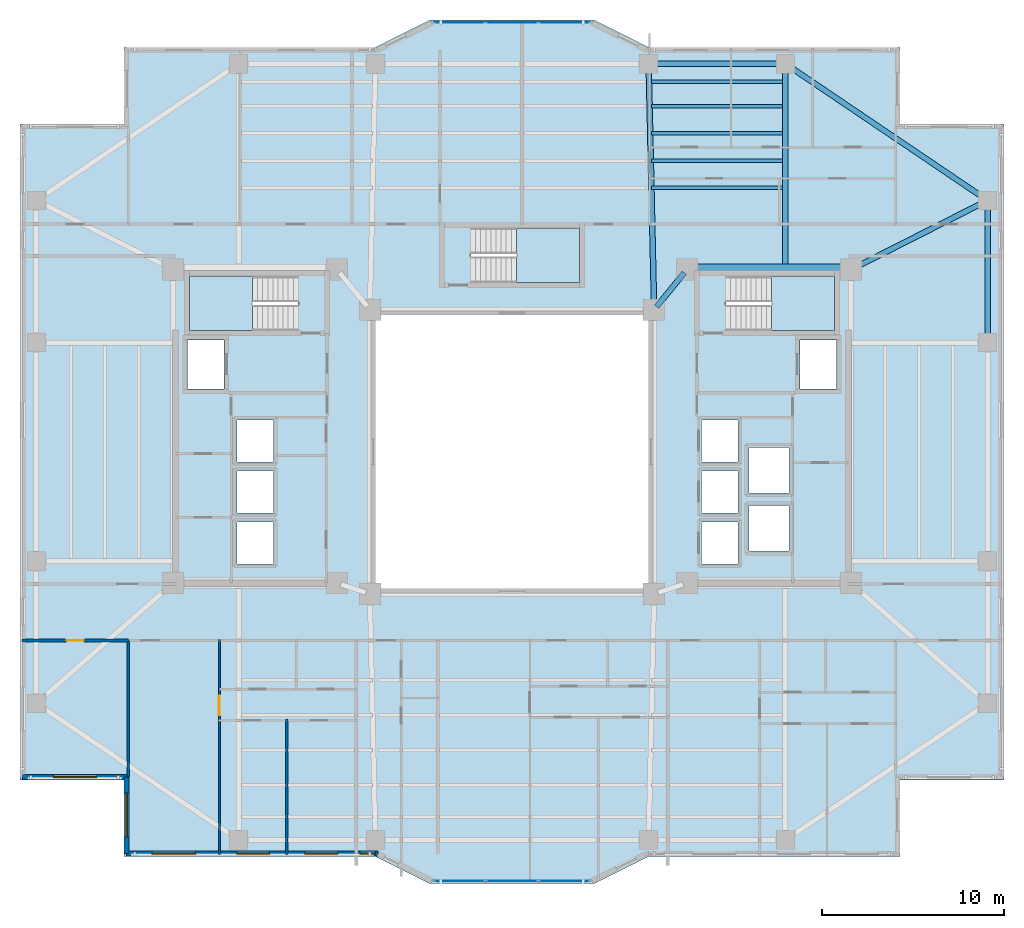
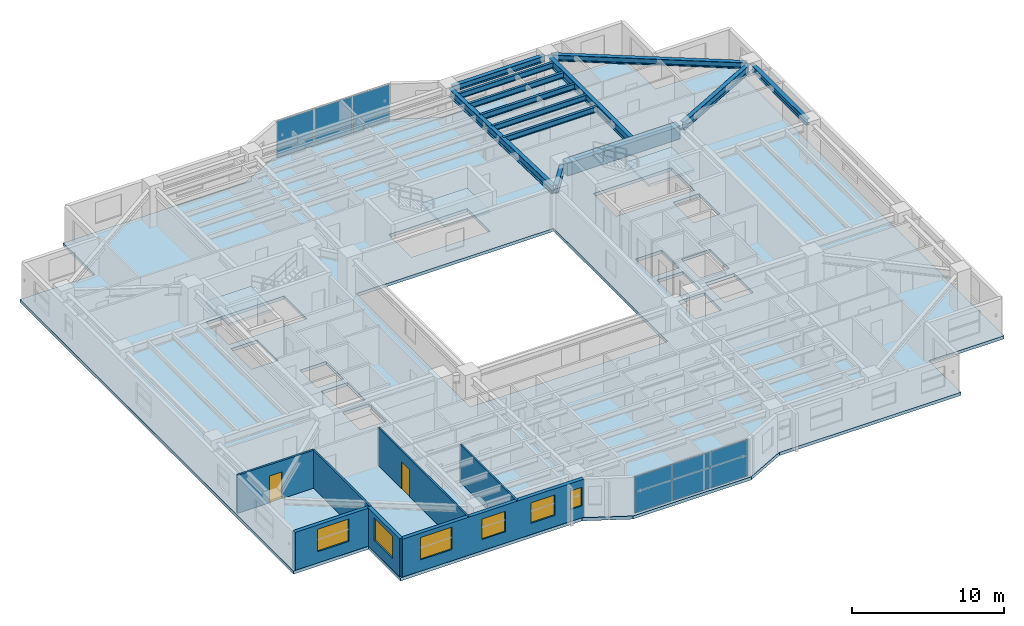
# One storey, part 5 of 18: 13 beams, 7 walls, 6 plates, 6 windows, 4 slabs, 2 doors, 8 openings, 5 elements without a shape of their own.
"""IFC4 building model written with IfcOpenShell, lengths in metres."""

from ifc_helpers import new_model, si_unit, direction, frame, frame_2d, origin, origin_2d, place, context, subcontext, project, spatial, polyline, rectangle, i_section, outline, extrude, material, layer, layer_set, material_profile, profile_set, type_object, element, fill, aggregate, save


model = new_model("IFC4")

# Units and contexts
model_context = context("Model", 3, precision=1e-05, world=origin(), true_north=direction((0.0, 1.0)))
body_context = subcontext(model_context, "Body", "Model", "MODEL_VIEW")
ifc_project = project(units=[si_unit("LENGTHUNIT", "METRE"), si_unit("AREAUNIT", "SQUARE_METRE"), si_unit("VOLUMEUNIT", "CUBIC_METRE"), si_unit("PLANEANGLEUNIT", "RADIAN"), si_unit("MASSUNIT", "GRAM", prefix="KILO")], contexts=[model_context])

# Site, building, storey
site_placement = place(None, origin())
site = spatial("IfcSite", under=ifc_project, at=site_placement, CompositionType="ELEMENT")
building_placement = place(site_placement, origin())
building = spatial("IfcBuilding", under=site, at=building_placement, Name="Tarnavaz Court Tower", CompositionType="ELEMENT")
storey_placement = place(building_placement, frame((0.0, 0.0, 115.14990234375)))
storey = spatial("IfcBuildingStorey", under=building, at=storey_placement, Name="L31", CompositionType="ELEMENT", Elevation=115.14990234375)

# Beams
ifc_material_1 = material(Name="Concrete C60/75", Category="concrete")
ifc_material_profile_1 = material_profile(ifc_material_1, rectangle(XDim=0.60009765625, YDim=1.0, at=origin_2d()), Name="RC 600X1000")
ifc_profile_set_1 = profile_set([ifc_material_profile_1], Name="Concrete C60/75")
beam_type_1 = type_object("IfcBeamType", Name="BM-CB1000", PredefinedType="LINTEL", material=ifc_profile_set_1)
beam_1_placement = place(storey_placement, frame((18.3798828125, 10.0, 2.550048828125), z_axis=(-1.0, 0.0, 0.0), x_axis=(0.0, -1.0, 0.0)))
element("IfcBeam", 1, at=beam_1_placement, inside=storey, type_object=beam_type_1, Name="L31 Beam IN-CE-NO-CE-NI", PredefinedType="LINTEL", context=body_context, shape_type="SweptSolid", body=[
    extrude(rectangle(XDim=0.60009765625, YDim=1.0, at=origin_2d()), origin(), (0.0, 0.0, 1.0), 8.559814453125),
])
ifc_material_2 = material(Name="Steel S355", Category="steel")
ifc_material_profile_2 = material_profile(ifc_material_2, i_section(OverallWidth=0.300048828125, OverallDepth=0.64990234375, WebThickness=0.01611328125, FlangeThickness=0.031005859375, FilletRadius=0.027099609375, at=origin_2d()), Name="HEB 650")
ifc_profile_set_2 = profile_set([ifc_material_profile_2], Name="Steel S355")
beam_type_2 = type_object("IfcBeamType", Name="BM-G-HEB650", PredefinedType="USERDEFINED", material=ifc_profile_set_2)
beam_2_placement = place(storey_placement, frame((9.460693359375, 9.82958984375, 2.72509765625), z_axis=(-0.633282058357, -0.773921077735, 0.0), x_axis=(0.773921077735, -0.633282058357, 0.0)))
element("IfcBeam", 2, at=beam_2_placement, inside=storey, type_object=beam_type_2, Name="L31 Beam IN-CE-NI-IW-NE", ObjectType="GIRDER", PredefinedType="USERDEFINED", context=body_context, shape_type="SweptSolid", body=[
    extrude(i_section(OverallWidth=0.300048828125, OverallDepth=0.64990234375, WebThickness=0.01611328125, FlangeThickness=0.031005859375, FilletRadius=0.027099609375, at=origin_2d()), origin(), (0.0, 0.0, 1.0), 2.402587890625),
])
beam_3_placement = place(storey_placement, frame((7.795166015625, 8.02001953125, 2.72509765625), z_axis=(-0.022221303469, 0.99975307635, 0.0), x_axis=(-0.99975307635, -0.022221303469, 0.0)))
element("IfcBeam", 3, at=beam_3_placement, inside=storey, type_object=beam_type_2, Name="L31 Beam RG-03", ObjectType="GIRDER", PredefinedType="USERDEFINED", context=body_context, shape_type="SweptSolid", body=[
    extrude(i_section(OverallWidth=0.300048828125, OverallDepth=0.64990234375, WebThickness=0.01611328125, FlangeThickness=0.031005859375, FilletRadius=0.027099609375, at=origin_2d()), origin(), (0.0, 0.0, 1.0), 13.063232421875),
])
beam_4_placement = place(storey_placement, frame((15.0, 10.0400390625, 2.72509765625), z_axis=(0.0, 1.0, 0.0), x_axis=(-1.0, 0.0, 0.0)))
element("IfcBeam", 4, at=beam_4_placement, inside=storey, type_object=beam_type_2, Name="L31 Beam RG-04", ObjectType="GIRDER", PredefinedType="USERDEFINED", context=body_context, shape_type="SweptSolid", body=[
    extrude(i_section(OverallWidth=0.300048828125, OverallDepth=0.64990234375, WebThickness=0.01611328125, FlangeThickness=0.031005859375, FilletRadius=0.027099609375, at=origin_2d()), origin(), (0.0, 0.0, 1.0), 11.0400390625),
])
beam_5_placement = place(storey_placement, frame((18.796142578125, 10.099365234375, 2.72509765625), z_axis=(0.892030669981, 0.451974870776, 0.0), x_axis=(-0.451974870776, 0.892030669981, 0.0)))
element("IfcBeam", 5, at=beam_5_placement, inside=storey, type_object=beam_type_2, Name="L31 Beam RG-12", ObjectType="GIRDER", PredefinedType="USERDEFINED", context=body_context, shape_type="SweptSolid", body=[
    extrude(i_section(OverallWidth=0.300048828125, OverallDepth=0.64990234375, WebThickness=0.01611328125, FlangeThickness=0.031005859375, FilletRadius=0.027099609375, at=origin_2d()), origin(), (0.0, 0.0, 1.0), 7.968017578125),
])
ifc_material_profile_3 = material_profile(ifc_material_2, i_section(OverallWidth=0.18994140625, OverallDepth=0.449951171875, WebThickness=0.009521484375, FlangeThickness=0.0146484375, FilletRadius=0.02099609375, at=origin_2d()), Name="IPE 450")
ifc_profile_set_3 = profile_set([ifc_material_profile_3], Name="Steel S355")
beam_type_3 = type_object("IfcBeamType", Name="BM-J-IPE450", PredefinedType="JOIST", material=ifc_profile_set_3)
for number, where, z_axis, x_axis, name in (
    (6, (7.64990234375, 14.493896484375, 2.8251953125), (1.0, 0.0, 0.0), (0.0, 1.0, 0.0), "L31 Beam JN1-3"),
    (7, (7.64990234375, 15.988037109375, 2.8251953125), (1.0, 0.0, 0.0), (0.0, 1.0, 0.0), "L31 Beam JN2-3"),
    (8, (7.64990234375, 17.48193359375, 2.8251953125), (1.0, 0.0, 0.0), (0.0, 1.0, 0.0), "L31 Beam JN3-3"),
    (9, (7.64990234375, 18.97607421875, 2.8251953125), (1.0, 0.0, 0.0), (0.0, 1.0, 0.0), "L31 Beam JN4-3"),
    (10, (7.64990234375, 20.303955078125, 2.8251953125), (1.0, 0.0, 0.0), (0.0, 1.0, 0.0), "L31 Beam JN5-3"),
):
    element("IfcBeam", number, at=place(storey_placement, frame(where, z_axis=z_axis, x_axis=x_axis)), inside=storey, type_object=beam_type_3, Name=name, PredefinedType="JOIST", context=body_context, shape_type="SweptSolid", body=[
        extrude(i_section(OverallWidth=0.18994140625, OverallDepth=0.449951171875, WebThickness=0.009521484375, FlangeThickness=0.0146484375, FilletRadius=0.02099609375, at=origin_2d()), origin(), (0.0, 0.0, 1.0), 7.2001953125),
    ])
ifc_material_profile_4 = material_profile(ifc_material_2, i_section(OverallWidth=0.300048828125, OverallDepth=0.489990234375, WebThickness=0.011962890625, FlangeThickness=0.02294921875, FilletRadius=0.027099609375, at=origin_2d()), Name="HEA 500")
ifc_profile_set_4 = profile_set([ifc_material_profile_4], Name="Steel S355")
beam_type_4 = type_object("IfcBeamType", Name="BM-SP-HEA500", PredefinedType="SPANDREL", material=ifc_profile_set_4)
beam_6_placement = place(storey_placement, frame((7.719970703125, 21.300048828125, 2.80517578125), z_axis=(1.0, 0.0, 0.0), x_axis=(0.0, 1.0, 0.0)))
element("IfcBeam", 11, at=beam_6_placement, inside=storey, type_object=beam_type_4, Name="L31 Beam PR-PN-3-PN-4", PredefinedType="SPANDREL", context=body_context, shape_type="SweptSolid", body=[
    extrude(i_section(OverallWidth=0.300048828125, OverallDepth=0.489990234375, WebThickness=0.011962890625, FlangeThickness=0.02294921875, FilletRadius=0.027099609375, at=origin_2d()), origin(), (0.0, 0.0, 1.0), 7.06005859375),
])
beam_7_placement = place(storey_placement, frame((26.10009765625, 6.219970703125, 2.80517578125), z_axis=(0.0, 1.0, 0.0), x_axis=(-1.0, 0.0, 0.0)))
element("IfcBeam", 12, at=beam_7_placement, inside=storey, type_object=beam_type_4, Name="L31 Beam PR-PE-3-PE-4", PredefinedType="SPANDREL", context=body_context, shape_type="SweptSolid", body=[
    extrude(i_section(OverallWidth=0.300048828125, OverallDepth=0.489990234375, WebThickness=0.011962890625, FlangeThickness=0.02294921875, FilletRadius=0.027099609375, at=origin_2d()), origin(), (0.0, 0.0, 1.0), 7.360107421875),
])
beam_8_placement = place(storey_placement, frame((15.182373046875, 21.1767578125, 2.80517578125), z_axis=(0.828587314918, -0.559859858854, 0.0), x_axis=(0.559859858854, 0.828587314918, 0.0)))
element("IfcBeam", 13, at=beam_8_placement, inside=storey, type_object=beam_type_4, Name="L31 Beam PR-PN-4-PE-4", PredefinedType="SPANDREL", context=body_context, shape_type="SweptSolid", body=[
    extrude(i_section(OverallWidth=0.300048828125, OverallDepth=0.489990234375, WebThickness=0.011962890625, FlangeThickness=0.02294921875, FilletRadius=0.027099609375, at=origin_2d()), origin(), (0.0, 0.0, 1.0), 12.956298828125),
])

# Curtain wall, plates
ifc_material_3 = material(Name="Anodised Aluminium 6063-T6 and Solar Low-E Glazing", Category="aluminium")
ifc_layer_1 = layer(ifc_material_3, 0.179931640625)
ifc_layer_set_1 = layer_set([ifc_layer_1], Name="Anodised Aluminium 6063-T6 and Solar Low-E Glazing")
curtain_wall_type = type_object("IfcCurtainWallType", Name="CW-SYS-02", PredefinedType="NOTDEFINED", material=ifc_layer_set_1)
curtain_wall_1_placement = place(storey_placement, origin())
curtain_wall_1 = element("IfcCurtainWall", 14, at=curtain_wall_1_placement, inside=storey, type_object=curtain_wall_type, Name="L31 Iwan Prow Curtain Wall 7", PredefinedType="NOTDEFINED")
ifc_material_4 = material(Name="Double-Glazed Solar Low-E Glass", Category="glass")
ifc_layer_2 = layer(ifc_material_4, 0.028076171875)
ifc_layer_set_2 = layer_set([ifc_layer_2], Name="Double-Glazed Solar Low-E Glass")
plate_type = type_object("IfcPlateType", Name="CW-PAN-GLZ28", PredefinedType="CURTAIN_PANEL", material=ifc_layer_set_2)
plate_1_placement = place(storey_placement, frame((-2.88134765625, 23.550048828125, 0.065185546875), z_axis=(0.0, 0.0, 1.0), x_axis=(1.0, 0.0, 0.0)))
plate_1 = element("IfcPlate", 15, at=plate_1_placement, type_object=plate_type, Name="CW panel 1.1", PredefinedType="CURTAIN_PANEL", context=body_context, shape_type="SweptSolid", body=[
    extrude(rectangle(XDim=2.78759765625, YDim=0.028076171875, at=origin_2d()), origin(), (0.0, 0.0, 1.0), 2.919921875),
])
plate_2_placement = place(storey_placement, frame((0.0, 23.550048828125, 0.065185546875), z_axis=(0.0, 0.0, 1.0), x_axis=(1.0, 0.0, 0.0)))
plate_2 = element("IfcPlate", 16, at=plate_2_placement, type_object=plate_type, Name="CW panel 2.1", PredefinedType="CURTAIN_PANEL", context=body_context, shape_type="SweptSolid", body=[
    extrude(rectangle(XDim=2.824951171875, YDim=0.028076171875, at=origin_2d()), origin(), (0.0, 0.0, 1.0), 2.919921875),
])
plate_3_placement = place(storey_placement, frame((2.88134765625, 23.550048828125, 0.065185546875), z_axis=(0.0, 0.0, 1.0), x_axis=(1.0, 0.0, 0.0)))
plate_3 = element("IfcPlate", 17, at=plate_3_placement, type_object=plate_type, Name="CW panel 3.1", PredefinedType="CURTAIN_PANEL", context=body_context, shape_type="SweptSolid", body=[
    extrude(rectangle(XDim=2.78759765625, YDim=0.028076171875, at=origin_2d()), origin(), (0.0, 0.0, 1.0), 2.919921875),
])
aggregate(curtain_wall_1, [plate_1, plate_2, plate_3])

curtain_wall_2_placement = place(storey_placement, origin())
curtain_wall_2 = element("IfcCurtainWall", 18, at=curtain_wall_2_placement, inside=storey, type_object=curtain_wall_type, Name="L31 Iwan Prow Curtain Wall 17", PredefinedType="NOTDEFINED")
plate_4_placement = place(storey_placement, frame((2.88134765625, -23.550048828125, 0.065185546875), z_axis=(0.0, 0.0, 1.0), x_axis=(-1.0, 0.0, 0.0)))
plate_4 = element("IfcPlate", 19, at=plate_4_placement, type_object=plate_type, Name="CW panel 1.1", PredefinedType="CURTAIN_PANEL", context=body_context, shape_type="SweptSolid", body=[
    extrude(rectangle(XDim=2.78759765625, YDim=0.028076171875, at=origin_2d()), origin(), (0.0, 0.0, 1.0), 2.919921875),
])
plate_5_placement = place(storey_placement, frame((0.0, -23.550048828125, 0.065185546875), z_axis=(0.0, 0.0, 1.0), x_axis=(-1.0, 0.0, 0.0)))
plate_5 = element("IfcPlate", 20, at=plate_5_placement, type_object=plate_type, Name="CW panel 2.1", PredefinedType="CURTAIN_PANEL", context=body_context, shape_type="SweptSolid", body=[
    extrude(rectangle(XDim=2.824951171875, YDim=0.028076171875, at=origin_2d()), origin(), (0.0, 0.0, 1.0), 2.919921875),
])
plate_6_placement = place(storey_placement, frame((-2.88134765625, -23.550048828125, 0.065185546875), z_axis=(0.0, 0.0, 1.0), x_axis=(-1.0, 0.0, 0.0)))
plate_6 = element("IfcPlate", 21, at=plate_6_placement, type_object=plate_type, Name="CW panel 3.1", PredefinedType="CURTAIN_PANEL", context=body_context, shape_type="SweptSolid", body=[
    extrude(rectangle(XDim=2.78759765625, YDim=0.028076171875, at=origin_2d()), origin(), (0.0, 0.0, 1.0), 2.919921875),
])
aggregate(curtain_wall_2, [plate_4, plate_5, plate_6])

# Stair, slab
ifc_material_5 = material(Name="Concrete C40/50", Category="concrete")
stair_type = type_object("IfcStairType", Name="ST-TWR-20R", PredefinedType="HALF_TURN_STAIR", material=ifc_material_5)
stair_1_placement = place(storey_placement, origin())
stair_1 = element("IfcStair", 22, at=stair_1_placement, inside=storey, type_object=stair_type, Name="L31 West Core Pressurized Exit Stair ST-W1", PredefinedType="HALF_TURN_STAIR")
ifc_layer_3 = layer(ifc_material_5, 0.199951171875)
ifc_layer_set_3 = layer_set([ifc_layer_3], Name="Concrete C40/50")
slab_type_1 = type_object("IfcSlabType", Name="SL-LAND-200", PredefinedType="LANDING", material=ifc_layer_set_3)
slab_1_placement = place(storey_placement, frame((0.0, 0.0, 1.47509765625)))
slab_1 = element("IfcSlab", 23, at=slab_1_placement, type_object=slab_type_1, Name="ST-W1 landing 1", PredefinedType="LANDING", context=body_context, shape_type="SweptSolid", body=[
    extrude(outline(polyline([(-14.239990234375, 9.639892578125), (-17.699951171875, 9.639892578125), (-17.699951171875, 6.64990234375), (-14.239990234375, 6.64990234375), (-14.239990234375, 9.639892578125)])), origin(), (0.0, 0.0, 1.0), 0.199951171875),
])
aggregate(stair_1, [slab_1])

stair_2_placement = place(storey_placement, origin())
stair_2 = element("IfcStair", 24, at=stair_2_placement, inside=storey, type_object=stair_type, Name="L31 East Core Pressurized Exit Stair ST-E1", PredefinedType="HALF_TURN_STAIR")
slab_2_placement = place(storey_placement, frame((0.0, 0.0, 1.47509765625)))
slab_2 = element("IfcSlab", 25, at=slab_2_placement, type_object=slab_type_1, Name="ST-E1 landing 1", PredefinedType="LANDING", context=body_context, shape_type="SweptSolid", body=[
    extrude(outline(polyline([(14.239990234375, 6.64990234375), (17.699951171875, 6.64990234375), (17.699951171875, 9.639892578125), (14.239990234375, 9.639892578125), (14.239990234375, 6.64990234375)])), origin(), (0.0, 0.0, 1.0), 0.199951171875),
])
aggregate(stair_2, [slab_2])

stair_3_placement = place(storey_placement, origin())
stair_3 = element("IfcStair", 26, at=stair_3_placement, inside=storey, type_object=stair_type, Name="L31 North Ring Pressurized Exit Stair ST-N1", PredefinedType="HALF_TURN_STAIR")
slab_3_placement = place(storey_placement, frame((0.0, 0.0, 1.47509765625)))
slab_3 = element("IfcSlab", 27, at=slab_3_placement, type_object=slab_type_1, Name="ST-N1 landing 1", PredefinedType="LANDING", context=body_context, shape_type="SweptSolid", body=[
    extrude(outline(polyline([(0.239990234375, 9.300048828125), (3.699951171875, 9.300048828125), (3.699951171875, 12.2900390625), (0.239990234375, 12.2900390625), (0.239990234375, 9.300048828125)])), origin(), (0.0, 0.0, 1.0), 0.199951171875),
])
aggregate(stair_3, [slab_3])

# Slab
ifc_layer_4 = layer(ifc_material_5, 0.25)
ifc_layer_set_4 = layer_set([ifc_layer_4], Name="Concrete C40/50")
slab_type_2 = type_object("IfcSlabType", Name="SL-RES-250", PredefinedType="FLOOR", material=ifc_layer_set_4)
slab_4_placement = place(storey_placement, frame((0.0, 0.0, -0.25)))
element("IfcSlab", 28, at=slab_4_placement, inside=storey, type_object=slab_type_2, Name="L31 Structural Floor Slab", PredefinedType="FLOOR", context=body_context, shape_type="SweptSolid", body=[
    extrude(outline(polyline([(-21.300048828125, -22.199951171875), (-7.5, -22.199951171875), (-4.5, -23.699951171875), (4.5, -23.699951171875), (7.5, -22.199951171875), (21.300048828125, -22.199951171875), (21.300048828125, -18.0), (27.0, -18.0), (27.0, 18.0), (21.300048828125, 18.0), (21.300048828125, 22.199951171875), (7.5, 22.199951171875), (4.5, 23.699951171875), (-4.5, 23.699951171875), (-7.5, 22.199951171875), (-21.300048828125, 22.199951171875), (-21.300048828125, 18.0), (-27.0, 18.0), (-27.0, -18.0), (-21.300048828125, -18.0), (-21.300048828125, -22.199951171875)]), holes=[polyline([(-7.5, -7.5), (7.5, -7.5), (7.5, 7.5), (-7.5, 7.5), (-7.5, -7.5)]), polyline([(-11.7451171875, 9.639892578125), (-17.699951171875, 9.639892578125), (-17.699951171875, 6.64990234375), (-11.7451171875, 6.64990234375), (-11.7451171875, 9.639892578125)]), polyline([(11.7451171875, 6.64990234375), (17.699951171875, 6.64990234375), (17.699951171875, 9.639892578125), (11.7451171875, 9.639892578125), (11.7451171875, 6.64990234375)]), polyline([(-2.2548828125, 9.300048828125), (3.699951171875, 9.300048828125), (3.699951171875, 12.2900390625), (-2.2548828125, 12.2900390625), (-2.2548828125, 9.300048828125)]), polyline([(-17.800048828125, 3.449951171875), (-15.800048828125, 3.449951171875), (-15.800048828125, 6.14990234375), (-17.800048828125, 6.14990234375), (-17.800048828125, 3.449951171875)]), polyline([(-15.10009765625, -6.14990234375), (-13.10009765625, -6.14990234375), (-13.10009765625, -3.85009765625), (-15.10009765625, -3.85009765625), (-15.10009765625, -6.14990234375)]), polyline([(-15.10009765625, -3.35009765625), (-13.10009765625, -3.35009765625), (-13.10009765625, -1.050048828125), (-15.10009765625, -1.050048828125), (-15.10009765625, -3.35009765625)]), polyline([(-15.10009765625, -0.550048828125), (-13.10009765625, -0.550048828125), (-13.10009765625, 1.75), (-15.10009765625, 1.75), (-15.10009765625, -0.550048828125)]), polyline([(15.800048828125, 3.449951171875), (17.800048828125, 3.449951171875), (17.800048828125, 6.14990234375), (15.800048828125, 6.14990234375), (15.800048828125, 3.449951171875)]), polyline([(10.39990234375, -6.14990234375), (12.39990234375, -6.14990234375), (12.39990234375, -3.85009765625), (10.39990234375, -3.85009765625), (10.39990234375, -6.14990234375)]), polyline([(10.39990234375, -3.35009765625), (12.39990234375, -3.35009765625), (12.39990234375, -1.050048828125), (10.39990234375, -1.050048828125), (10.39990234375, -3.35009765625)]), polyline([(10.39990234375, -0.550048828125), (12.39990234375, -0.550048828125), (12.39990234375, 1.75), (10.39990234375, 1.75), (10.39990234375, -0.550048828125)]), polyline([(13.0, -5.449951171875), (15.199951171875, -5.449951171875), (15.199951171875, -2.949951171875), (13.0, -2.949951171875), (13.0, -5.449951171875)]), polyline([(13.0, -2.25), (15.199951171875, -2.25), (15.199951171875, 0.25), (13.0, 0.25), (13.0, -2.25)])]), origin(), (0.0, 0.0, 1.0), 0.25),
])

# Wall, opening, window
ifc_material_6 = material(Name="Precast Concrete C40/50", Category="concrete")
ifc_layer_5 = layer(ifc_material_6, 0.280029296875)
ifc_layer_set_5 = layer_set([ifc_layer_5], Name="Precast Concrete C40/50")
wall_type_1 = type_object("IfcWallType", Name="WL-EXT-280", PredefinedType="SOLIDWALL", material=ifc_layer_set_5)
wall_1_placement = place(storey_placement, frame((-21.14990234375, -17.85009765625, 0.0), z_axis=(0.0, 0.0, 1.0), x_axis=(-1.0, 0.0, 0.0)))
wall_1 = element("IfcWall", 29, at=wall_1_placement, inside=storey, type_object=wall_type_1, Name="L31 Exterior Terracotta Facade Wall 01", PredefinedType="SOLIDWALL", context=body_context, shape_type="SweptSolid", body=[
    extrude(rectangle(XDim=5.7001953125, YDim=0.280029296875, at=frame_2d((2.85009765625, 0.0))), origin(), (0.0, 0.0, 1.0), 3.050048828125),
])
opening_1_placement = place(wall_1_placement, frame((1.625, 0.0, 0.89990234375)))
opening_1 = element("IfcOpeningElement", 30, at=opening_1_placement, cuts=wall_1, Name="Opening W06", PredefinedType="OPENING", context=body_context, shape_type="SweptSolid", body=[
    extrude(rectangle(XDim=2.39990234375, YDim=1.800048828125, at=frame_2d((1.199951171875, 0.89990234375))), frame((0.0, 0.14990234375, 0.0), z_axis=(0.0, -1.0, 0.0), x_axis=(1.0, 0.0, 0.0)), (0.0, 0.0, 1.0), 0.300048828125),
])
window_type_1 = type_object("IfcWindowType", Name="WN-APT-2400", PartitioningType="TRIPLE_PANEL_VERTICAL", PredefinedType="WINDOW", material=ifc_material_4)
window_1_placement = place(opening_1_placement, origin())
window_1 = element("IfcWindow", 31, at=window_1_placement, inside=storey, type_object=window_type_1, Name="L31 South-West Corner Reading Room Window", OverallHeight=1.800048828125, OverallWidth=2.39990234375, PartitioningType="SINGLE_PANEL", PredefinedType="WINDOW", context=body_context, shape_type="SweptSolid", body=[
    extrude(rectangle(XDim=2.39990234375, YDim=1.800048828125, at=frame_2d((1.199951171875, 0.89990234375))), frame((0.0, 0.030029296875, 0.0), z_axis=(0.0, -1.0, 0.0), x_axis=(1.0, 0.0, 0.0)), (0.0, 0.0, 1.0), 0.06005859375),
])
fill(opening_1, window_1)

# Wall, openings, windows
wall_2_placement = place(storey_placement, frame((-7.35009765625, -22.050048828125, 0.0), z_axis=(0.0, 0.0, 1.0), x_axis=(-1.0, 0.0, 0.0)))
wall_2 = element("IfcWall", 32, at=wall_2_placement, inside=storey, type_object=wall_type_1, Name="L31 Exterior Terracotta Facade Wall 19", PredefinedType="SOLIDWALL", context=body_context, shape_type="SweptSolid", body=[
    extrude(rectangle(XDim=13.7998046875, YDim=0.280029296875, at=frame_2d((6.89990234375, 0.0))), origin(), (0.0, 0.0, 1.0), 3.050048828125),
])
opening_2_placement = place(wall_2_placement, frame((0.14697265625, 0.0, 0.949951171875)))
opening_2 = element("IfcOpeningElement", 33, at=opening_2_placement, cuts=wall_2, Name="Opening W15", PredefinedType="OPENING", context=body_context, shape_type="SweptSolid", body=[
    extrude(rectangle(XDim=0.85009765625, YDim=1.5, at=frame_2d((0.425048828125, 0.75))), frame((0.0, 0.14990234375, 0.0), z_axis=(0.0, -1.0, 0.0), x_axis=(1.0, 0.0, 0.0)), (0.0, 0.0, 1.0), 0.300048828125),
])
opening_3_placement = place(wall_2_placement, frame((2.211181640625, 0.0, 0.89990234375)))
opening_3 = element("IfcOpeningElement", 34, at=opening_3_placement, cuts=wall_2, Name="Opening W01", PredefinedType="OPENING", context=body_context, shape_type="SweptSolid", body=[
    extrude(rectangle(XDim=1.800048828125, YDim=1.64990234375, at=frame_2d((0.89990234375, 0.824951171875))), frame((0.0, 0.14990234375, 0.0), z_axis=(0.0, -1.0, 0.0), x_axis=(1.0, 0.0, 0.0)), (0.0, 0.0, 1.0), 0.300048828125),
])
opening_4_placement = place(wall_2_placement, frame((5.94970703125, 0.0, 0.89990234375)))
opening_4 = element("IfcOpeningElement", 35, at=opening_4_placement, cuts=wall_2, Name="Opening W01", PredefinedType="OPENING", context=body_context, shape_type="SweptSolid", body=[
    extrude(rectangle(XDim=1.800048828125, YDim=1.64990234375, at=frame_2d((0.89990234375, 0.824951171875))), frame((0.0, 0.14990234375, 0.0), z_axis=(0.0, -1.0, 0.0), x_axis=(1.0, 0.0, 0.0)), (0.0, 0.0, 1.0), 0.300048828125),
])
opening_5_placement = place(wall_2_placement, frame((10.015625, 0.0, 0.89990234375)))
opening_5 = element("IfcOpeningElement", 36, at=opening_5_placement, cuts=wall_2, Name="Opening W06", PredefinedType="OPENING", context=body_context, shape_type="SweptSolid", body=[
    extrude(rectangle(XDim=2.39990234375, YDim=1.800048828125, at=frame_2d((1.199951171875, 0.89990234375))), frame((0.0, 0.14990234375, 0.0), z_axis=(0.0, -1.0, 0.0), x_axis=(1.0, 0.0, 0.0)), (0.0, 0.0, 1.0), 0.300048828125),
])
window_type_2 = type_object("IfcWindowType", Name="WN-APT-1800", PartitioningType="DOUBLE_PANEL_VERTICAL", PredefinedType="WINDOW", material=ifc_material_4)
window_2_placement = place(opening_3_placement, origin())
window_2 = element("IfcWindow", 37, at=window_2_placement, inside=storey, type_object=window_type_2, Name="L31 Flat 02 Bedroom 2 Window", OverallHeight=1.64990234375, OverallWidth=1.800048828125, PartitioningType="SINGLE_PANEL", PredefinedType="WINDOW", context=body_context, shape_type="SweptSolid", body=[
    extrude(rectangle(XDim=1.800048828125, YDim=1.64990234375, at=frame_2d((0.89990234375, 0.824951171875))), frame((0.0, 0.030029296875, 0.0), z_axis=(0.0, -1.0, 0.0), x_axis=(1.0, 0.0, 0.0)), (0.0, 0.0, 1.0), 0.06005859375),
])
fill(opening_3, window_2)
window_3_placement = place(opening_4_placement, origin())
window_3 = element("IfcWindow", 38, at=window_3_placement, inside=storey, type_object=window_type_2, Name="L31 Flat 02 Principal Bedroom Window", OverallHeight=1.64990234375, OverallWidth=1.800048828125, PartitioningType="SINGLE_PANEL", PredefinedType="WINDOW", context=body_context, shape_type="SweptSolid", body=[
    extrude(rectangle(XDim=1.800048828125, YDim=1.64990234375, at=frame_2d((0.89990234375, 0.824951171875))), frame((0.0, 0.030029296875, 0.0), z_axis=(0.0, -1.0, 0.0), x_axis=(1.0, 0.0, 0.0)), (0.0, 0.0, 1.0), 0.06005859375),
])
fill(opening_4, window_3)
window_4_placement = place(opening_5_placement, origin())
window_4 = element("IfcWindow", 39, at=window_4_placement, inside=storey, type_object=window_type_1, Name="L31 Flat 02 Living and Dining Room Window", OverallHeight=1.800048828125, OverallWidth=2.39990234375, PartitioningType="SINGLE_PANEL", PredefinedType="WINDOW", context=body_context, shape_type="SweptSolid", body=[
    extrude(rectangle(XDim=2.39990234375, YDim=1.800048828125, at=frame_2d((1.199951171875, 0.89990234375))), frame((0.0, 0.030029296875, 0.0), z_axis=(0.0, -1.0, 0.0), x_axis=(1.0, 0.0, 0.0)), (0.0, 0.0, 1.0), 0.06005859375),
])
fill(opening_5, window_4)
window_type_3 = type_object("IfcWindowType", Name="WN-APT-850", PartitioningType="SINGLE_PANEL", PredefinedType="WINDOW", material=ifc_material_4)
window_5_placement = place(opening_2_placement, origin())
window_5 = element("IfcWindow", 40, at=window_5_placement, inside=storey, type_object=window_type_3, Name="L31 Flat 04 Studio Living and Sleeping Room Window", OverallHeight=1.5, OverallWidth=0.85009765625, PartitioningType="SINGLE_PANEL", PredefinedType="WINDOW", context=body_context, shape_type="SweptSolid", body=[
    extrude(rectangle(XDim=0.85009765625, YDim=1.5, at=frame_2d((0.425048828125, 0.75))), frame((0.0, 0.030029296875, 0.0), z_axis=(0.0, -1.0, 0.0), x_axis=(1.0, 0.0, 0.0)), (0.0, 0.0, 1.0), 0.06005859375),
])
fill(opening_2, window_5)

# Wall, opening, window
wall_3_placement = place(storey_placement, frame((-21.14990234375, -22.050048828125, 0.0), z_axis=(0.0, 0.0, 1.0), x_axis=(0.0, 1.0, 0.0)))
wall_3 = element("IfcWall", 41, at=wall_3_placement, inside=storey, type_object=wall_type_1, Name="L31 Exterior Terracotta Facade Wall 20", PredefinedType="SOLIDWALL", context=body_context, shape_type="SweptSolid", body=[
    extrude(rectangle(XDim=4.199951171875, YDim=0.280029296875, at=frame_2d((2.10009765625, 0.0))), origin(), (0.0, 0.0, 1.0), 3.050048828125),
])
opening_6_placement = place(wall_3_placement, frame((0.917724609375, 0.0, 0.89990234375)))
opening_6 = element("IfcOpeningElement", 42, at=opening_6_placement, cuts=wall_3, Name="Opening W06", PredefinedType="OPENING", context=body_context, shape_type="SweptSolid", body=[
    extrude(rectangle(XDim=2.39990234375, YDim=1.800048828125, at=frame_2d((1.199951171875, 0.89990234375))), frame((0.0, 0.14990234375, 0.0), z_axis=(0.0, -1.0, 0.0), x_axis=(1.0, 0.0, 0.0)), (0.0, 0.0, 1.0), 0.300048828125),
])
window_6_placement = place(opening_6_placement, origin())
window_6 = element("IfcWindow", 43, at=window_6_placement, inside=storey, type_object=window_type_1, Name="L31 Flat 02 Living and Dining Room Window", OverallHeight=1.800048828125, OverallWidth=2.39990234375, PartitioningType="SINGLE_PANEL", PredefinedType="WINDOW", context=body_context, shape_type="SweptSolid", body=[
    extrude(rectangle(XDim=2.39990234375, YDim=1.800048828125, at=frame_2d((1.199951171875, 0.89990234375))), frame((0.0, 0.030029296875, 0.0), z_axis=(0.0, -1.0, 0.0), x_axis=(1.0, 0.0, 0.0)), (0.0, 0.0, 1.0), 0.06005859375),
])
fill(opening_6, window_6)

# Wall, opening, door
ifc_material_7 = material(Name="Gypsum Fire-Board on Acoustic Metal Stud", Category="masonry")
ifc_layer_6 = layer(ifc_material_7, 0.14990234375)
ifc_layer_set_6 = layer_set([ifc_layer_6], Name="Gypsum Fire-Board on Acoustic Metal Stud")
wall_type_2 = type_object("IfcWallType", Name="WL-FIRE-150", PredefinedType="PARTITIONING", material=ifc_layer_set_6)
wall_4_placement = place(storey_placement, frame((-26.8798828125, -10.35009765625, 0.0), z_axis=(0.0, 0.0, 1.0), x_axis=(1.0, 0.0, 0.0)))
wall_4 = element("IfcWall", 44, at=wall_4_placement, inside=storey, type_object=wall_type_2, Name="L31 Interior Partition 122", PredefinedType="PARTITIONING", context=body_context, shape_type="SweptSolid", body=[
    extrude(rectangle(XDim=5.829833984375, YDim=0.14990234375, at=frame_2d((2.9150390625, 0.0))), origin(), (0.0, 0.0, 1.0), 3.050048828125),
])
opening_7_placement = place(wall_4_placement, frame((2.43994140625, 0.0, 0.0)))
opening_7 = element("IfcOpeningElement", 45, at=opening_7_placement, cuts=wall_4, Name="Opening D13", PredefinedType="OPENING", context=body_context, shape_type="SweptSolid", body=[
    extrude(rectangle(XDim=0.949951171875, YDim=2.14990234375, at=frame_2d((0.47509765625, 1.074951171875))), frame((0.0, 0.0849609375, 0.0), z_axis=(0.0, -1.0, 0.0), x_axis=(1.0, 0.0, 0.0)), (0.0, 0.0, 1.0), 0.169921875),
])
ifc_material_8 = material(Name="Engineered Oak Timber", Category="wood")
door_type_1 = type_object("IfcDoorType", Name="DR-INT-950", OperationType="NOTDEFINED", PredefinedType="DOOR", material=ifc_material_8)
door_1_placement = place(opening_7_placement, origin())
door_1 = element("IfcDoor", 46, at=door_1_placement, inside=storey, type_object=door_type_1, Name="L31 SW Reading Room Door", OperationType="SINGLE_SWING_RIGHT", OverallHeight=2.14990234375, OverallWidth=0.949951171875, PredefinedType="DOOR", context=body_context, shape_type="SweptSolid", body=[
    extrude(rectangle(XDim=0.949951171875, YDim=2.14990234375, at=frame_2d((0.47509765625, 1.074951171875))), frame((0.0, 0.02490234375, 0.0), z_axis=(0.0, -1.0, 0.0), x_axis=(1.0, 0.0, 0.0)), (0.0, 0.0, 1.0), 0.050048828125),
])
fill(opening_7, door_1)

ifc_material_9 = material(Name="Moisture-Resistant Gypsum Board Partition", Category="masonry")
ifc_layer_7 = layer(ifc_material_9, 0.1201171875)
ifc_layer_set_7 = layer_set([ifc_layer_7], Name="Moisture-Resistant Gypsum Board Partition")
wall_type_3 = type_object("IfcWallType", Name="WL-PART-120", PredefinedType="PARTITIONING", material=ifc_layer_set_7)
wall_5_placement = place(storey_placement, frame((-16.05810546875, -22.10009765625, 0.0), z_axis=(0.0, 0.0, 1.0), x_axis=(0.0, 1.0, 0.0)))
wall_5 = element("IfcWall", 47, at=wall_5_placement, inside=storey, type_object=wall_type_3, Name="L31 Interior Partition 087", PredefinedType="PARTITIONING", context=body_context, shape_type="SweptSolid", body=[
    extrude(rectangle(XDim=11.81005859375, YDim=0.1201171875, at=frame_2d((5.905029296875, 0.0))), origin(), (0.0, 0.0, 1.0), 3.050048828125),
])
opening_8_placement = place(wall_5_placement, frame((7.64501953125, 0.0, 0.0)))
opening_8 = element("IfcOpeningElement", 48, at=opening_8_placement, cuts=wall_5, Name="Opening D12", PredefinedType="OPENING", context=body_context, shape_type="SweptSolid", body=[
    extrude(rectangle(XDim=1.080078125, YDim=2.14990234375, at=frame_2d((0.5400390625, 1.074951171875))), frame((0.0, 0.070068359375, 0.0), z_axis=(0.0, -1.0, 0.0), x_axis=(1.0, 0.0, 0.0)), (0.0, 0.0, 1.0), 0.14013671875),
])
door_type_2 = type_object("IfcDoorType", Name="DR-INT-1100", OperationType="NOTDEFINED", PredefinedType="DOOR", material=ifc_material_8)
door_2_placement = place(opening_8_placement, origin())
door_2 = element("IfcDoor", 49, at=door_2_placement, inside=storey, type_object=door_type_2, Name="L31 Flat 02 Foyer Door", OperationType="SINGLE_SWING_RIGHT", OverallHeight=2.14990234375, OverallWidth=1.080078125, PredefinedType="DOOR", context=body_context, shape_type="SweptSolid", body=[
    extrude(rectangle(XDim=1.080078125, YDim=2.14990234375, at=frame_2d((0.5400390625, 1.074951171875))), frame((0.0, 0.02490234375, 0.0), z_axis=(0.0, -1.0, 0.0), x_axis=(1.0, 0.0, 0.0)), (0.0, 0.0, 1.0), 0.050048828125),
])
fill(opening_8, door_2)

# Walls
wall_6_placement = place(storey_placement, frame((-12.35888671875, -22.10009765625, 0.0), z_axis=(0.0, 0.0, 1.0), x_axis=(0.0, 1.0, 0.0)))
element("IfcWall", 50, at=wall_6_placement, inside=storey, type_object=wall_type_3, Name="L31 Interior Partition 092", PredefinedType="PARTITIONING", context=body_context, shape_type="SweptSolid", body=[
    extrude(rectangle(XDim=7.420166015625, YDim=0.1201171875, at=frame_2d((3.7099609375, 0.0))), origin(), (0.0, 0.0, 1.0), 3.050048828125),
])
ifc_material_10 = material(Name="Gypsum Plasterboard Acoustic Partition", Category="masonry")
ifc_layer_8 = layer(ifc_material_10, 0.139892578125)
ifc_layer_set_8 = layer_set([ifc_layer_8], Name="Gypsum Plasterboard Acoustic Partition")
wall_type_4 = type_object("IfcWallType", Name="WL-PART-150", PredefinedType="PARTITIONING", material=ifc_layer_set_8)
wall_7_placement = place(storey_placement, frame((-21.050048828125, -17.85009765625, 0.0), z_axis=(0.0, 0.0, 1.0), x_axis=(0.0, 1.0, 0.0)))
element("IfcWall", 51, at=wall_7_placement, inside=storey, type_object=wall_type_4, Name="L31 Interior Partition 116", PredefinedType="PARTITIONING", context=body_context, shape_type="SweptSolid", body=[
    extrude(rectangle(XDim=7.5, YDim=0.139892578125, at=frame_2d((3.75, 0.0))), origin(), (0.0, 0.0, 1.0), 3.050048828125),
])

save(model, "model.ifc")
